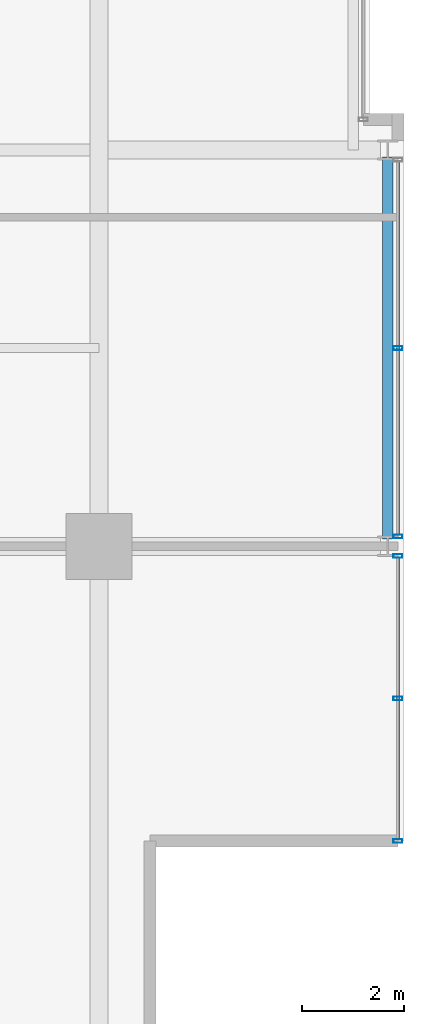
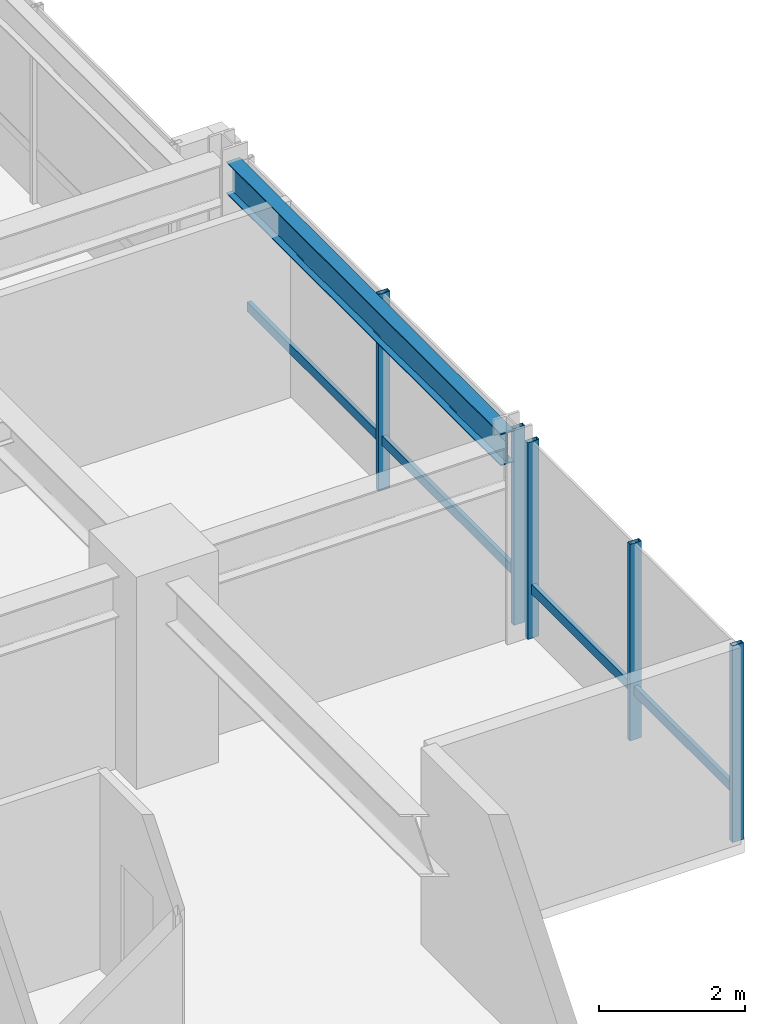
# One storey, part 13 of 32: 7 members, 1 beam, 2 elements without a shape of their own.
"""IFC4 building model written with IfcOpenShell, lengths in metres."""

from ifc_helpers import new_model, si_unit, direction, frame, origin, origin_2d, place, context, subcontext, project, spatial, hollow_rectangle, i_section, extrude, material, layer, layer_set, material_profile, profile_set, type_object, element, aggregate, save


model = new_model("IFC4")

# Units and contexts
model_context = context("Model", 3, precision=1e-05, world=origin(), true_north=direction((0.0, 1.0)))
body_context = subcontext(model_context, "Body", "Model", "MODEL_VIEW")
ifc_project = project(units=[si_unit("LENGTHUNIT", "METRE"), si_unit("AREAUNIT", "SQUARE_METRE"), si_unit("VOLUMEUNIT", "CUBIC_METRE"), si_unit("PLANEANGLEUNIT", "RADIAN"), si_unit("MASSUNIT", "GRAM", prefix="KILO")], contexts=[model_context])

# Site, building, storey
site_placement = place(None, origin())
site = spatial("IfcSite", under=ifc_project, at=site_placement, CompositionType="ELEMENT")
building_placement = place(site_placement, origin())
building = spatial("IfcBuilding", under=site, at=building_placement, Name="Drelvath Grand Hotel", CompositionType="ELEMENT")
storey_placement = place(building_placement, frame((0.0, 0.0, 193.0)))
storey = spatial("IfcBuildingStorey", under=building, at=storey_placement, Name="L50", CompositionType="ELEMENT", Elevation=193.0)

# Curtain wall, member
ifc_material_1 = material(Name="Brushed Pale-Silver Anodised Aluminium Frame", Category="aluminium")
ifc_layer = layer(ifc_material_1, 0.199951171875)
ifc_layer_set = layer_set([ifc_layer], Name="Brushed Pale-Silver Anodised Aluminium Frame")
curtain_wall_type = type_object("IfcCurtainWallType", Name="Stick Curtain Wall CW-04 Brushed Silver Upper-Mid", PredefinedType="NOTDEFINED", material=ifc_layer_set)
curtain_wall_1_placement = place(storey_placement, origin())
curtain_wall_1 = element("IfcCurtainWall", 1, at=curtain_wall_1_placement, inside=storey, type_object=curtain_wall_type, Name="L50 CW-04 Curtain Wall CW04-L50-ES1", PredefinedType="NOTDEFINED")
ifc_material_profile_1 = material_profile(ifc_material_1, hollow_rectangle(XDim=0.06494140625, YDim=0.159912109375, WallThickness=0.00390625, at=origin_2d()), Name="HSS160X65X4")
ifc_profile_set_1 = profile_set([ifc_material_profile_1], Name="Brushed Pale-Silver Anodised Aluminium Frame")
member_type_1 = type_object("IfcMemberType", Name="Curtain Wall Horizontal Transom CW-04 HSS160X65X4", PredefinedType="USERDEFINED", material=ifc_profile_set_1)
member_1_placement = place(storey_placement, frame((22.080078125, 10.568359375, 0.822509765625), z_axis=(0.0, -1.0, 0.0), x_axis=(1.0, 0.0, 0.0)))
member_1 = element("IfcMember", 2, at=member_1_placement, type_object=member_type_1, Name="CW04-L50-ES1 Sill Transom", ObjectType="TRANSOM", PredefinedType="USERDEFINED", context=body_context, shape_type="SweptSolid", body=[
    extrude(hollow_rectangle(XDim=0.06494140625, YDim=0.159912109375, WallThickness=0.00390625, at=origin_2d()), origin(), (0.0, 0.0, 1.0), 5.5283203125),
])

curtain_wall_2_placement = place(storey_placement, origin())
curtain_wall_2 = element("IfcCurtainWall", 3, at=curtain_wall_2_placement, inside=storey, type_object=curtain_wall_type, Name="L50 CW-04 Curtain Wall CW04-L50-ES2", PredefinedType="NOTDEFINED")
member_2_placement = place(storey_placement, frame((22.080078125, 18.368408203125, 0.822509765625), z_axis=(0.0, -1.0, 0.0), x_axis=(1.0, 0.0, 0.0)))
member_2 = element("IfcMember", 4, at=member_2_placement, type_object=member_type_1, Name="CW04-L50-ES2 Sill Transom", ObjectType="TRANSOM", PredefinedType="USERDEFINED", context=body_context, shape_type="SweptSolid", body=[
    extrude(hollow_rectangle(XDim=0.06494140625, YDim=0.159912109375, WallThickness=0.00390625, at=origin_2d()), origin(), (0.0, 0.0, 1.0), 7.336669921875),
])

# Member
ifc_material_profile_2 = material_profile(ifc_material_1, hollow_rectangle(XDim=0.074951171875, YDim=0.179931640625, WallThickness=0.0048828125, at=origin_2d()), Name="HSS180X75X5")
ifc_profile_set_2 = profile_set([ifc_material_profile_2], Name="Brushed Pale-Silver Anodised Aluminium Frame")
member_type_2 = type_object("IfcMemberType", Name="Curtain Wall Vertical Mullion CW-04 HSS180X75X5", PredefinedType="MULLION", material=ifc_profile_set_2)
member_3_placement = place(storey_placement, frame((22.080078125, 10.6083984375, 0.0), z_axis=(0.0, 0.0, 1.0), x_axis=(0.0, 1.0, 0.0)))
member_3 = element("IfcMember", 5, at=member_3_placement, type_object=member_type_2, Name="CW04-L50-ES1 Mullion 1", PredefinedType="MULLION", context=body_context, shape_type="SweptSolid", body=[
    extrude(hollow_rectangle(XDim=0.074951171875, YDim=0.179931640625, WallThickness=0.0048828125, at=origin_2d()), origin(), (0.0, 0.0, 1.0), 3.2900390625),
])

member_4_placement = place(storey_placement, frame((22.080078125, 7.80419921875, 0.0), z_axis=(0.0, 0.0, 1.0), x_axis=(0.0, 1.0, 0.0)))
member_4 = element("IfcMember", 6, at=member_4_placement, type_object=member_type_2, Name="CW04-L50-ES1 Mullion 2", PredefinedType="MULLION", context=body_context, shape_type="SweptSolid", body=[
    extrude(hollow_rectangle(XDim=0.074951171875, YDim=0.179931640625, WallThickness=0.0048828125, at=origin_2d()), origin(), (0.0, 0.0, 1.0), 3.2900390625),
])

member_5_placement = place(storey_placement, frame((22.080078125, 5.0, 0.0), z_axis=(0.0, 0.0, 1.0), x_axis=(0.0, 1.0, 0.0)))
member_5 = element("IfcMember", 7, at=member_5_placement, type_object=member_type_2, Name="CW04-L50-ES1 Mullion 3", PredefinedType="MULLION", context=body_context, shape_type="SweptSolid", body=[
    extrude(hollow_rectangle(XDim=0.074951171875, YDim=0.179931640625, WallThickness=0.0048828125, at=origin_2d()), origin(), (0.0, 0.0, 1.0), 3.2900390625),
])

aggregate(curtain_wall_1, [member_3, member_4, member_5, member_1])

member_6_placement = place(storey_placement, frame((22.080078125, 14.7001953125, 0.0), z_axis=(0.0, 0.0, 1.0), x_axis=(0.0, 1.0, 0.0)))
member_6 = element("IfcMember", 8, at=member_6_placement, type_object=member_type_2, Name="CW04-L50-ES2 Mullion 2", PredefinedType="MULLION", context=body_context, shape_type="SweptSolid", body=[
    extrude(hollow_rectangle(XDim=0.074951171875, YDim=0.179931640625, WallThickness=0.0048828125, at=origin_2d()), origin(), (0.0, 0.0, 1.0), 3.2900390625),
])

member_7_placement = place(storey_placement, frame((22.080078125, 10.99169921875, 0.0), z_axis=(0.0, 0.0, 1.0), x_axis=(0.0, 1.0, 0.0)))
member_7 = element("IfcMember", 9, at=member_7_placement, type_object=member_type_2, Name="CW04-L50-ES2 Mullion 3", PredefinedType="MULLION", context=body_context, shape_type="SweptSolid", body=[
    extrude(hollow_rectangle(XDim=0.074951171875, YDim=0.179931640625, WallThickness=0.0048828125, at=origin_2d()), origin(), (0.0, 0.0, 1.0), 3.2900390625),
])

aggregate(curtain_wall_2, [member_6, member_7, member_2])

# Beam
ifc_material_2 = material(Name="Steel ASTM A992 Gr 50", Category="steel")
ifc_material_profile_3 = material_profile(ifc_material_2, i_section(OverallWidth=0.210205078125, OverallDepth=0.53662109375, WebThickness=0.010986328125, FlangeThickness=0.017333984375, FilletRadius=0.01806640625, at=origin_2d()), Name="W21X68")
ifc_profile_set_3 = profile_set([ifc_material_profile_3], Name="Steel ASTM A992 Gr 50")
beam_type = type_object("IfcBeamType", Name="Perimeter Spandrel Beam W21X68", PredefinedType="SPANDREL", material=ifc_profile_set_3)
beam_placement = place(storey_placement, frame((21.8798828125, 10.93994140625, 3.021484375), z_axis=(0.0, 1.0, 0.0), x_axis=(-1.0, 0.0, 0.0)))
element("IfcBeam", 10, at=beam_placement, inside=storey, type_object=beam_type, Name="L50 Spandrel East S", PredefinedType="SPANDREL", context=body_context, shape_type="SweptSolid", body=[
    extrude(i_section(OverallWidth=0.210205078125, OverallDepth=0.53662109375, WebThickness=0.010986328125, FlangeThickness=0.017333984375, FilletRadius=0.01806640625, at=origin_2d()), origin(), (0.0, 0.0, 1.0), 7.52001953125),
])

save(model, "model.ifc")
